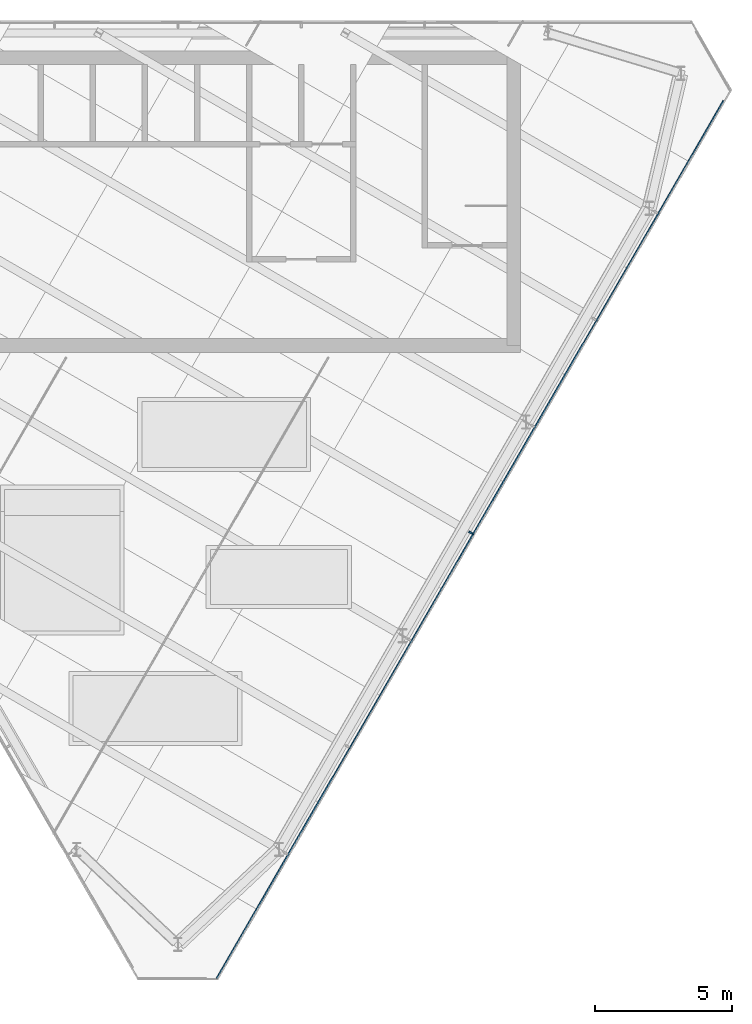
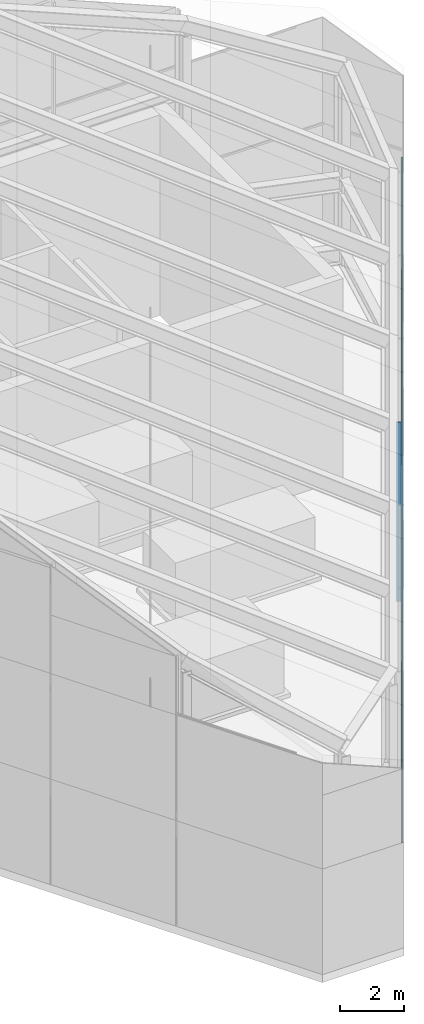
# One storey, part 6 of 16: 2 members, 1 element without a shape of its own.
"""IFC4 building model written with IfcOpenShell, lengths in metres."""

import ifcopenshell
import ifcopenshell.guid

model = None  # the IFC model being written
_history = None  # IfcOwnerHistory: only IFC2X3 demands one
_inside = {}  # id of a spatial element -> (the spatial element, [elements in it])
_under = {}  # id of a project, library or spatial element -> (it, [spatial elements below it])
_declared = {}  # id of a project -> (the project, [libraries it declares])
_typed = {}  # id of a type object -> (the type object, [elements of that type])
_made_of = {}  # id of a material, layer set ... -> (it, [elements and type objects made of it])


def new_model(schema):
    """Start an empty IFC model of exactly this schema.

    Asked for "IFC4X3", IfcOpenShell would pick the latest addendum, in which some entities
    have other attributes; the version numbers below select the first issue.
    IFC2X3 requires an IfcOwnerHistory on every rooted entity: one is made here for all.
    """
    global model, _history
    if schema == "IFC4X3":
        model = ifcopenshell.file(schema_version=(4, 3, 0, 0))
    else:
        model = ifcopenshell.file(schema=schema)
    _inside.clear()
    _under.clear()
    _declared.clear()
    _typed.clear()
    _made_of.clear()
    _history = None
    if model.schema == "IFC2X3":
        org = make("IfcOrganization", Name="unknown")
        user = make(
            "IfcPersonAndOrganization",
            ThePerson=make("IfcPerson", FamilyName="unknown"),
            TheOrganization=org,
        )
        app = make(
            "IfcApplication",
            ApplicationDeveloper=org,
            Version="unknown",
            ApplicationFullName="unknown",
            ApplicationIdentifier="unknown",
        )
        _history = make(
            "IfcOwnerHistory",
            OwningUser=user,
            OwningApplication=app,
            ChangeAction="ADDED",
            CreationDate=0,
        )
    return model


def make(cls, **values):
    """One entity of the class cls with the attributes given. An attribute that is None is left unset."""
    return model.create_entity(
        cls, **{name: value for name, value in values.items() if value is not None}
    )


def rooted(cls, **values):
    """An entity with a GlobalId (a new one), such as an element, a storey or a relation."""
    return make(cls, GlobalId=ifcopenshell.guid.new(), OwnerHistory=_history, **values)


def si_unit(unit_type, name, prefix=None):
    """IfcSIUnit, for example si_unit("LENGTHUNIT", "METRE", prefix="MILLI")."""
    return make("IfcSIUnit", UnitType=unit_type, Prefix=prefix, Name=name)


def assignment(units):
    """IfcUnitAssignment: the units of a project."""
    return None if units is None else make("IfcUnitAssignment", Units=units)


def point(xyz):
    """IfcCartesianPoint."""
    return None if xyz is None else make("IfcCartesianPoint", Coordinates=xyz)


def direction(xyz):
    """IfcDirection."""
    return None if xyz is None else make("IfcDirection", DirectionRatios=xyz)


def frame(location, z_axis=None, x_axis=None):
    """IfcAxis2Placement3D, a coordinate frame: its origin and axes. An axis left out is left unset."""
    return make(
        "IfcAxis2Placement3D",
        Location=point(location),
        Axis=direction(z_axis),
        RefDirection=direction(x_axis),
    )


def frame_2d(location, x_axis=None):
    """IfcAxis2Placement2D, a coordinate frame in the plane: its origin and x axis."""
    return make(
        "IfcAxis2Placement2D", Location=point(location), RefDirection=direction(x_axis)
    )


def origin():
    """The frame at (0, 0, 0) with its axes left unset."""
    return frame((0.0, 0.0, 0.0))


def origin_2d():
    """The frame at (0, 0) in the plane with its x axis left unset."""
    return frame_2d((0.0, 0.0))


def place(relative_to, where):
    """IfcLocalPlacement: puts the frame where relative to a parent placement (None: the world)."""
    return make(
        "IfcLocalPlacement", PlacementRelTo=relative_to, RelativePlacement=where
    )


def context(
    kind, dimensions, precision=None, world=None, true_north=None, identifier=None
):
    """IfcGeometricRepresentationContext, for example the 3D "Model" context."""
    return make(
        "IfcGeometricRepresentationContext",
        ContextIdentifier=identifier,
        ContextType=kind,
        CoordinateSpaceDimension=dimensions,
        Precision=precision,
        WorldCoordinateSystem=world,
        TrueNorth=true_north,
    )


def subcontext(parent, identifier, kind, view, scale=None):
    """IfcGeometricRepresentationSubContext, for example "Body" below "Model"."""
    return make(
        "IfcGeometricRepresentationSubContext",
        ContextIdentifier=identifier,
        ContextType=kind,
        ParentContext=parent,
        TargetScale=scale,
        TargetView=view,
    )


def project(units=None, contexts=None):
    """IfcProject with its units and contexts."""
    return rooted(
        "IfcProject",
        Name="project",
        RepresentationContexts=contexts,
        UnitsInContext=assignment(units),
    )


def spatial(cls, under=None, at=None, **own):
    """A site, building, storey or space (cls), placed at a placement, below another one or the project."""
    s = rooted(cls, ObjectPlacement=at, **own)
    if under is not None:
        _under.setdefault(under.id(), (under, []))[1].append(s)
    return s


def profile(cls, at=None, kind="AREA", **sizes):
    """A parametric profile (cls). Its sizes go by their IFC names, for example OverallWidth=200.0."""
    return make(cls, ProfileType=kind, Position=at, **sizes)


def rectangle(**sizes):
    """IfcRectangleProfileDef."""
    return profile("IfcRectangleProfileDef", **sizes)


def extrude(swept, where, along, depth):
    """IfcExtrudedAreaSolid: the profile swept, set in the frame where, extruded along a direction by depth."""
    return make(
        "IfcExtrudedAreaSolid",
        SweptArea=swept,
        Position=where,
        ExtrudedDirection=direction(along),
        Depth=depth,
    )


def shape(context_of_items, identifier, shape_type, items):
    """IfcShapeRepresentation: the items that make up one representation, for example the "Body"."""
    return make(
        "IfcShapeRepresentation",
        ContextOfItems=context_of_items,
        RepresentationIdentifier=identifier,
        RepresentationType=shape_type,
        Items=items,
    )


def material(Name=None, Category=None):
    """IfcMaterial."""
    return make("IfcMaterial", Name=Name, Category=Category)


def layer(
    of_material, thickness, ventilated=None, Name=None, Category=None, Priority=None
):
    """IfcMaterialLayer: one layer of a wall or slab, of a material (None: an air gap)."""
    return make(
        "IfcMaterialLayer",
        Material=of_material,
        LayerThickness=thickness,
        IsVentilated=ventilated,
        Name=Name,
        Category=Category,
        Priority=Priority,
    )


def layer_set(layers, Name=None):
    """IfcMaterialLayerSet."""
    return make("IfcMaterialLayerSet", MaterialLayers=layers, LayerSetName=Name)


def material_profile(
    of_material, cross_section, Name=None, Category=None, Priority=None
):
    """IfcMaterialProfile: a cross section and its material."""
    return make(
        "IfcMaterialProfile",
        Name=Name,
        Material=of_material,
        Profile=cross_section,
        Priority=Priority,
        Category=Category,
    )


def profile_set(profiles, Name=None, composite=None):
    """IfcMaterialProfileSet."""
    return make(
        "IfcMaterialProfileSet",
        Name=Name,
        MaterialProfiles=profiles,
        CompositeProfile=composite,
    )


def made_of(thing, what):
    """Note that an element or type object is made of a material, layer set ...; save() writes the relation."""
    if what is not None:
        _made_of.setdefault(what.id(), (what, []))[1].append(thing)
    return thing


def type_object(cls, material=None, **own):
    """A type object (cls), such as IfcWallType, which elements share."""
    return made_of(rooted(cls, **own), material)


def element(
    cls,
    number,
    at=None,
    inside=None,
    cuts=None,
    type_object=None,
    material=None,
    context=None,
    identifier="Body",
    shape_type=None,
    held_by="IfcProductDefinitionShape",
    body=None,
    shapes=None,
    **own,
):
    """One element of the class cls, such as IfcWall. Its Tag is "e" and its number.

    at: its placement. inside: the storey or other place that contains it. cuts: it is an
    opening in that element (IfcRelVoidsElement). A single representation is given by context,
    identifier, shape_type and body (its items); several are given by shapes. held_by: the class
    of the entity that holds the representations. save() writes the other relations.
    """
    e = rooted(cls, Tag="e%d" % number, ObjectPlacement=at, **own)
    if body is not None:
        shapes = [shape(context, identifier, shape_type, body)]
    if shapes is not None:
        e.Representation = make(held_by, Representations=shapes)
    if inside is not None:
        _inside.setdefault(inside.id(), (inside, []))[1].append(e)
    if cuts is not None:
        rooted(
            "IfcRelVoidsElement", RelatingBuildingElement=cuts, RelatedOpeningElement=e
        )
    if type_object is not None:
        _typed.setdefault(type_object.id(), (type_object, []))[1].append(e)
    return made_of(e, material)


def aggregate(whole, parts):
    """IfcRelAggregates: a whole, such as a stair, and the parts it consists of."""
    return rooted("IfcRelAggregates", RelatingObject=whole, RelatedObjects=parts)


def save(model, path):
    """Write the relations noted so far, then the file.

    IfcRelAggregates (storeys below a building ...), IfcRelContainedInSpatialStructure (elements
    in a storey), IfcRelDefinesByType, IfcRelAssociatesMaterial and IfcRelDeclares: one each for
    every whole, place, type object, material and project.
    """
    for whole, parts in _under.values():
        aggregate(whole, parts)
    for where, things in _inside.values():
        rooted(
            "IfcRelContainedInSpatialStructure",
            RelatedElements=things,
            RelatingStructure=where,
        )
    for kind, things in _typed.values():
        rooted("IfcRelDefinesByType", RelatedObjects=things, RelatingType=kind)
    for what, things in _made_of.values():
        rooted("IfcRelAssociatesMaterial", RelatedObjects=things, RelatingMaterial=what)
    for by, libraries in _declared.values():
        rooted("IfcRelDeclares", RelatingContext=by, RelatedDefinitions=libraries)
    model.write(path)


model = new_model("IFC4")

# Units and contexts
model_context = context("Model", 3, precision=1e-05, world=origin(), true_north=direction((0.0, 1.0)))
body_context = subcontext(model_context, "Body", "Model", "MODEL_VIEW")
ifc_project = project(units=[si_unit("LENGTHUNIT", "METRE"), si_unit("AREAUNIT", "SQUARE_METRE"), si_unit("VOLUMEUNIT", "CUBIC_METRE"), si_unit("PLANEANGLEUNIT", "RADIAN"), si_unit("MASSUNIT", "GRAM", prefix="KILO")], contexts=[model_context])

# Site, building, storey
site_placement = place(None, origin())
site = spatial("IfcSite", under=ifc_project, at=site_placement, CompositionType="ELEMENT")
building_placement = place(site_placement, origin())
building = spatial("IfcBuilding", under=site, at=building_placement, Name="Altiplano Prism Tower", CompositionType="ELEMENT")
storey_placement = place(building_placement, frame((0.0, 0.0, 358.0)))
storey = spatial("IfcBuildingStorey", under=building, at=storey_placement, Name="Crown", CompositionType="ELEMENT", Elevation=358.0)

# Curtain wall, members
ifc_material_1 = material(Name="Aluminium and glass", Category="aluminium")
ifc_layer = layer(ifc_material_1, 0.25)
ifc_layer_set = layer_set([ifc_layer], Name="Aluminium and glass")
curtain_wall_type = type_object("IfcCurtainWallType", Name="CW5 crown glazing", PredefinedType="NOTDEFINED", material=ifc_layer_set)
curtain_wall_placement = place(storey_placement, origin())
curtain_wall = element("IfcCurtainWall", 1, at=curtain_wall_placement, inside=storey, type_object=curtain_wall_type, Name="CW5 crown glazing face 3", PredefinedType="NOTDEFINED")
ifc_material_2 = material(Name="Aluminium", Category="aluminium")
ifc_material_profile_1 = material_profile(ifc_material_2, rectangle(XDim=0.159912109375, YDim=0.06005859375, at=origin_2d()), Name="CW5 mullion 60 x 160")
ifc_profile_set_1 = profile_set([ifc_material_profile_1], Name="Aluminium")
member_type_1 = type_object("IfcMemberType", Name="CW5 mullion 60 x 160", PredefinedType="MULLION", material=ifc_profile_set_1)
member_1_placement = place(storey_placement, frame((95.684814453125, 86.323486328125, 0.0), z_axis=(0.0, 0.0, 1.0), x_axis=(-0.866025407336, 0.499999993848, 0.0)))
member_1 = element("IfcMember", 2, at=member_1_placement, type_object=member_type_1, Name="CW5 mullion", PredefinedType="MULLION", context=body_context, shape_type="SweptSolid", body=[
    extrude(rectangle(XDim=0.159912109375, YDim=0.06005859375, at=origin_2d()), origin(), (0.0, 0.0, 1.0), 6.7900390625),
])
ifc_material_profile_2 = material_profile(ifc_material_2, rectangle(XDim=0.050048828125, YDim=0.06005859375, at=origin_2d()), Name="CW5 transom 60 x 50")
ifc_profile_set_2 = profile_set([ifc_material_profile_2], Name="Aluminium")
member_type_2 = type_object("IfcMemberType", Name="CW5 transom 60 x 50", PredefinedType="USERDEFINED", material=ifc_profile_set_2)
member_2_placement = place(storey_placement, frame((86.4052734375, 70.041015625, 4.0), z_axis=(0.499999662836, 0.866025598446, 0.0), x_axis=(-0.866025598446, 0.499999662836, 0.0)))
member_2 = element("IfcMember", 3, at=member_2_placement, type_object=member_type_2, Name="CW5 transom", ObjectType="TRANSOM", PredefinedType="USERDEFINED", context=body_context, shape_type="SweptSolid", body=[
    extrude(rectangle(XDim=0.050048828125, YDim=0.06005859375, at=origin_2d()), origin(), (0.0, 0.0, 1.0), 37.0),
])
aggregate(curtain_wall, [member_1, member_2])

save(model, "model.ifc")
